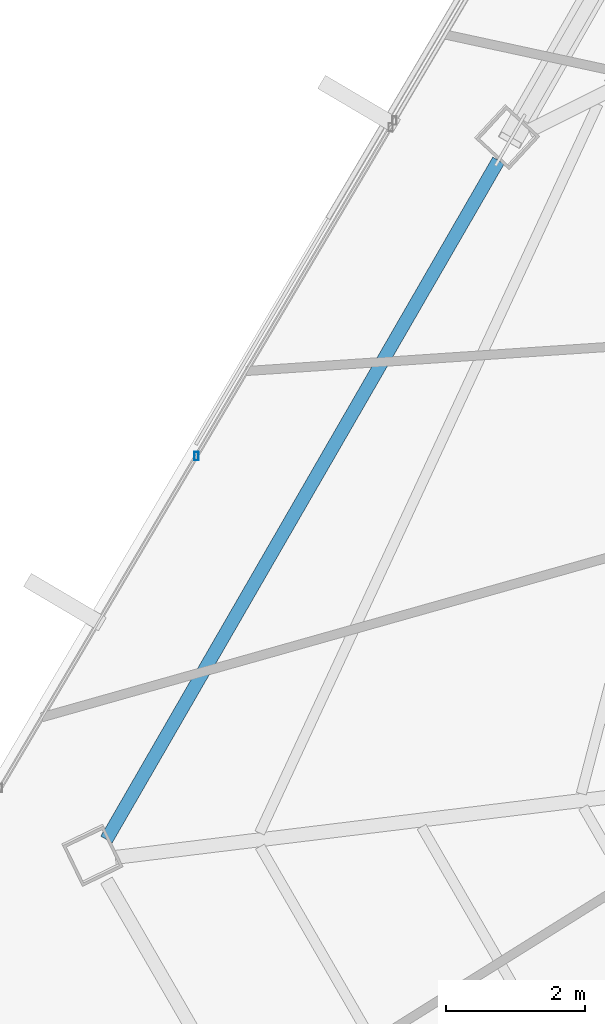
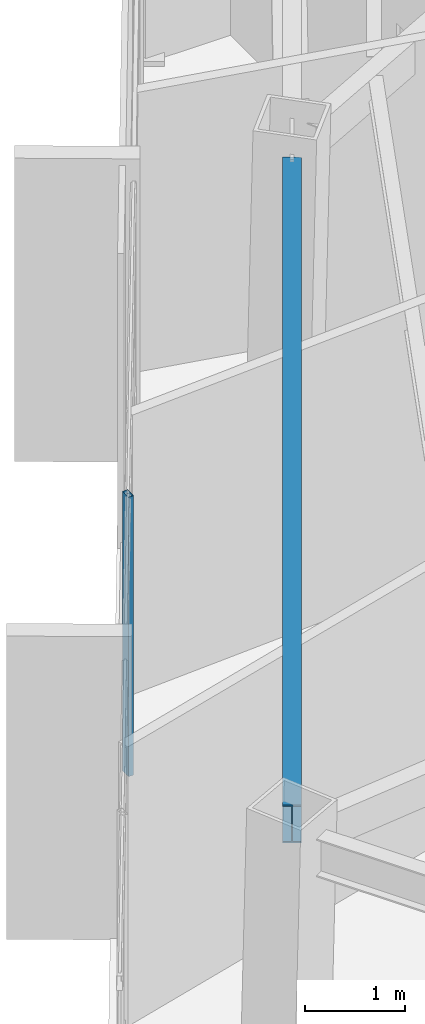
# One storey, part 9 of 45: 1 beam, 1 member, 1 element without a shape of its own.
"""IFC4 building model written with IfcOpenShell, lengths in metres."""

from ifc_helpers import new_model, si_unit, direction, frame, origin, origin_2d, place, context, subcontext, project, spatial, hollow_rectangle, i_section, extrude, source, transform, mapped, material, material_profile, profile_set, type_object, type_shapes, element, aggregate, save


model = new_model("IFC4")

# Units and contexts
model_context = context("Model", 3, precision=1e-05, world=origin(), true_north=direction((0.0, 1.0)))
body_context = subcontext(model_context, "Body", "Model", "MODEL_VIEW")
ifc_project = project(units=[si_unit("LENGTHUNIT", "METRE"), si_unit("AREAUNIT", "SQUARE_METRE"), si_unit("VOLUMEUNIT", "CUBIC_METRE"), si_unit("PLANEANGLEUNIT", "RADIAN"), si_unit("MASSUNIT", "GRAM", prefix="KILO")], contexts=[model_context])

# Site, building, storey
site_placement = place(None, origin())
site = spatial("IfcSite", under=ifc_project, at=site_placement, CompositionType="ELEMENT")
building_placement = place(site_placement, origin())
building = spatial("IfcBuilding", under=site, at=building_placement, Name="Caelisora Broadcast Tower", CompositionType="ELEMENT")
storey_placement = place(building_placement, frame((0.0, 0.0, 266.35009765625)))
storey = spatial("IfcBuildingStorey", under=building, at=storey_placement, Name="L70", CompositionType="ELEMENT", Elevation=266.35009765625)

# Beam
ifc_material_1 = material(Name="Steel Grade 350 (AS/NZS 3679.1)", Category="steel")
ifc_material_profile_1 = material_profile(ifc_material_1, i_section(OverallWidth=0.19091796875, OverallDepth=0.46044921875, WebThickness=0.010009765625, FlangeThickness=0.01611328125, at=origin_2d()), Name="Steel Grade 350 (AS/NZS 3679.1)")
ifc_profile_set_1 = profile_set([ifc_material_profile_1], Name="Steel Grade 350 (AS/NZS 3679.1)")
beam_type = type_object("IfcBeamType", Name="PG06", PredefinedType="BEAM", material=ifc_profile_set_1)
shared_shape_1 = source(origin(), body_context, "Body", "SweptSolid", [
    extrude(i_section(OverallWidth=0.19091796875, OverallDepth=0.46044921875, WebThickness=0.010009765625, FlangeThickness=0.01611328125, at=origin_2d()), origin(), (0.0, 0.0, 1.0), 11.255126953125),
])
type_shapes(beam_type, [shared_shape_1])
beam_placement = place(storey_placement, frame((22.37841796875, 25.740234375, 3.169677734375), z_axis=(-0.499988457423, -0.866032067792, 0.0), x_axis=(0.866032067792, -0.499988457423, 0.0)))
element("IfcBeam", 1, at=beam_placement, inside=storey, type_object=beam_type, Name="L70 beam PG06", PredefinedType="BEAM", context=body_context, shape_type="MappedRepresentation", body=[
    mapped(shared_shape_1, transform((0.0, 0.0, 0.0), scale=1.0)),
])

# Curtain wall, member
ifc_material_2 = material(Name="Unitised Aluminium and Low-E Glass Curtain Wall", Category="glass")
curtain_wall_type = type_object("IfcCurtainWallType", Name="CW-Z5", PredefinedType="NOTDEFINED", material=ifc_material_2)
curtain_wall_placement = place(storey_placement, origin())
curtain_wall = element("IfcCurtainWall", 2, at=curtain_wall_placement, inside=storey, type_object=curtain_wall_type, Name="L70 curtain wall CW-Z5", PredefinedType="NOTDEFINED")
ifc_material_3 = material(Name="Aluminium 6063-T6 Anodised Terracotta Bronze", Category="aluminium")
ifc_material_profile_2 = material_profile(ifc_material_3, hollow_rectangle(XDim=0.06005859375, YDim=0.1201171875, WallThickness=0.0029296875, at=origin_2d()), Name="Aluminium 6063-T6 Anodised Terracotta Bronze")
ifc_profile_set_2 = profile_set([ifc_material_profile_2], Name="Aluminium 6063-T6 Anodised Terracotta Bronze")
member_type = type_object("IfcMemberType", Name="CWM-04", PredefinedType="MULLION", material=ifc_profile_set_2)
shared_shape_2 = source(origin(), body_context, "Body", "SweptSolid", [
    extrude(hollow_rectangle(XDim=0.06005859375, YDim=0.1201171875, WallThickness=0.0029296875, at=origin_2d()), origin(), (0.0, 0.0, 1.0), 3.39990234375),
])
type_shapes(member_type, [shared_shape_2])
member_placement = place(storey_placement, frame((18.0419921875, 21.496826171875, 0.0), z_axis=(0.0, 0.0, 1.0), x_axis=(1.0, 0.0, 0.0)))
member = element("IfcMember", 3, at=member_placement, type_object=member_type, Name="L70-CW-B09 mullion #2", PredefinedType="MULLION", context=body_context, shape_type="MappedRepresentation", body=[
    mapped(shared_shape_2, transform((0.0, 0.0, 0.0), scale=1.0)),
])
aggregate(curtain_wall, [member])

save(model, "model.ifc")
